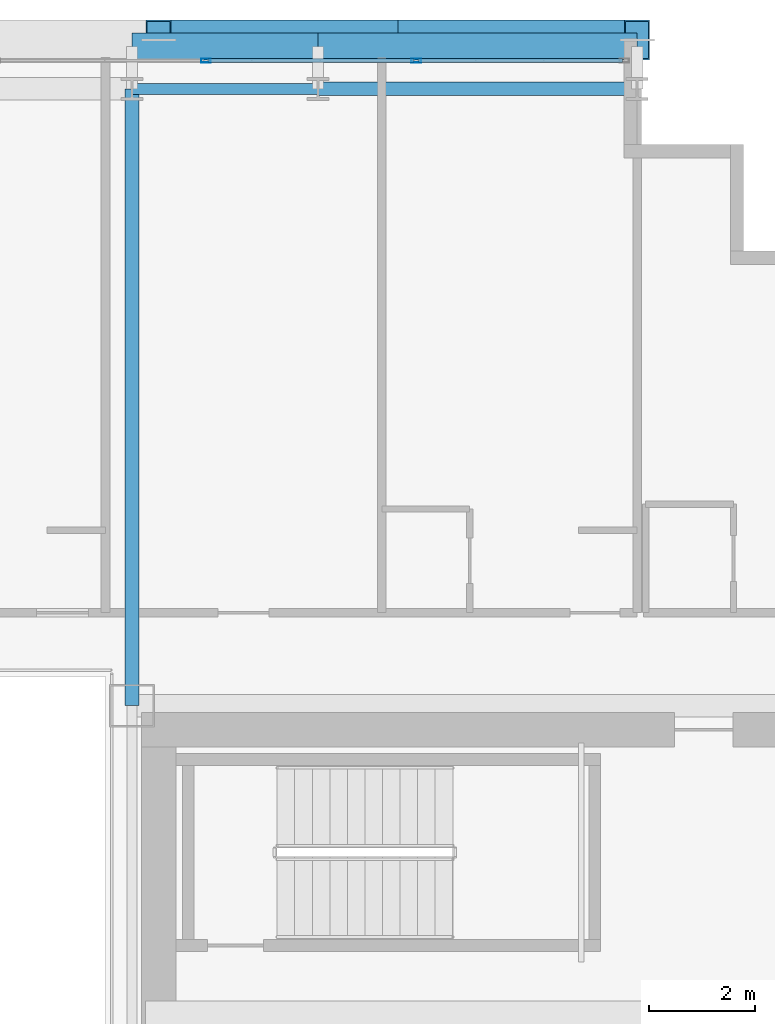
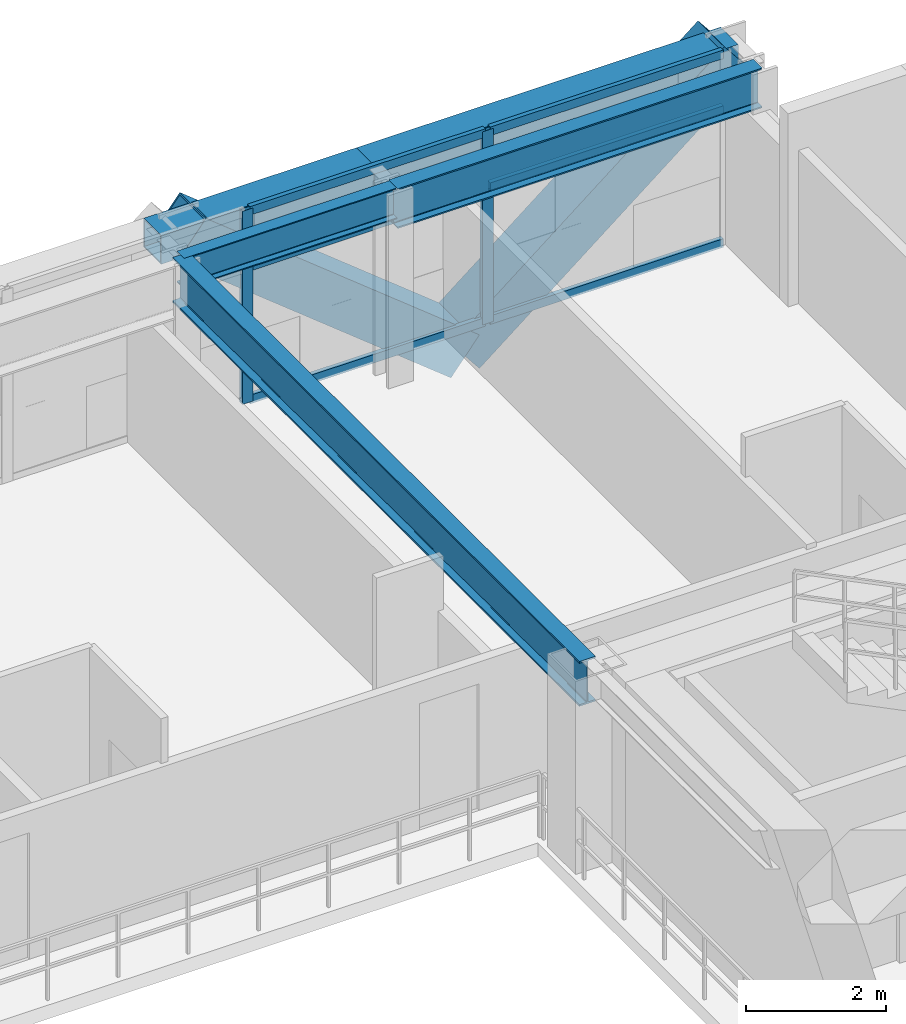
# One storey, part 21 of 35: 10 members, 5 beams, 1 element without a shape of its own.
"""IFC4 building model written with IfcOpenShell, lengths in metres."""

from ifc_helpers import new_model, si_unit, direction, frame, origin, origin_2d, place, context, subcontext, project, spatial, hollow_rectangle, i_section, extrude, source, transform, mapped, material, layer, layer_set, material_profile, profile_set, type_object, element, aggregate, save


model = new_model("IFC4")

# Units and contexts
model_context = context("Model", 3, precision=1e-05, world=origin(), true_north=direction((0.0, 1.0)))
body_context = subcontext(model_context, "Body", "Model", "MODEL_VIEW")
ifc_project = project(units=[si_unit("LENGTHUNIT", "METRE"), si_unit("AREAUNIT", "SQUARE_METRE"), si_unit("VOLUMEUNIT", "CUBIC_METRE"), si_unit("PLANEANGLEUNIT", "RADIAN"), si_unit("MASSUNIT", "GRAM", prefix="KILO")], contexts=[model_context])

# Site, building, storey
site_placement = place(None, origin())
site = spatial("IfcSite", under=ifc_project, at=site_placement, CompositionType="ELEMENT")
building_placement = place(site_placement, origin())
building = spatial("IfcBuilding", under=site, at=building_placement, Name="Ocotamira Hotel", CompositionType="ELEMENT")
storey_placement = place(building_placement, frame((0.0, 0.0, 144.0)))
storey = spatial("IfcBuildingStorey", under=building, at=storey_placement, Name="L36", CompositionType="ELEMENT", Elevation=144.0)

# Beams
ifc_material_1 = material(Name="Steel ASTM A992 Grade 50", Category="steel")
ifc_material_profile_1 = material_profile(ifc_material_1, i_section(OverallWidth=0.256103515625, OverallDepth=0.693115234375, WebThickness=0.014404296875, FlangeThickness=0.023681640625, FilletRadius=0.01611328125, at=origin_2d()), Name="W27X114")
ifc_profile_set_1 = profile_set([ifc_material_profile_1], Name="Steel ASTM A992 Grade 50")
beam_type_1 = type_object("IfcBeamType", Name="BM-PRIM-W27X114", PredefinedType="BEAM", material=ifc_profile_set_1)
shared_shape_1 = source(origin(), body_context, "Body", "SweptSolid", [
    extrude(i_section(OverallWidth=0.256103515625, OverallDepth=0.693115234375, WebThickness=0.014404296875, FlangeThickness=0.023681640625, FilletRadius=0.01611328125, at=origin_2d()), origin(), (0.0, 0.0, 1.0), 6.0),
])
beam_1_placement = place(storey_placement, frame((44.0, 49.050048828125, 3.013427734375), z_axis=(1.0, 0.0, 0.0), x_axis=(0.0, 1.0, 0.0)))
element("IfcBeam", 1, at=beam_1_placement, inside=storey, type_object=beam_type_1, Name="L36 Girder Y49.05 X44-50", PredefinedType="BEAM", context=body_context, shape_type="MappedRepresentation", body=[
    mapped(shared_shape_1, transform((0.0, 0.0, 0.0), scale=1.0)),
])
ifc_material_profile_2 = material_profile(ifc_material_1, i_section(OverallWidth=0.2099609375, OverallDepth=0.537109375, WebThickness=0.010986328125, FlangeThickness=0.017333984375, FilletRadius=0.012939453125, at=origin_2d()), Name="W21X68")
ifc_profile_set_2 = profile_set([ifc_material_profile_2], Name="Steel ASTM A992 Grade 50")
beam_type_2 = type_object("IfcBeamType", Name="BM-SEC-W21X68", PredefinedType="JOIST", material=ifc_profile_set_2)
shared_shape_2 = source(origin(), body_context, "Body", "SweptSolid", [
    extrude(i_section(OverallWidth=0.2099609375, OverallDepth=0.537109375, WebThickness=0.010986328125, FlangeThickness=0.017333984375, FilletRadius=0.012939453125, at=origin_2d()), origin(), (0.0, 0.0, 1.0), 3.5),
])
beam_2_placement = place(storey_placement, frame((40.5, 49.050048828125, 3.091552734375), z_axis=(1.0, 0.0, 0.0), x_axis=(0.0, 1.0, 0.0)))
element("IfcBeam", 2, at=beam_2_placement, inside=storey, type_object=beam_type_2, Name="L36 Girder Y49.05 X40.5-44", PredefinedType="JOIST", context=body_context, shape_type="MappedRepresentation", body=[
    mapped(shared_shape_2, transform((0.0, 0.0, 0.0), scale=1.0)),
])
ifc_material_profile_3 = material_profile(ifc_material_1, i_section(OverallWidth=0.26611328125, OverallDepth=0.779052734375, WebThickness=0.0166015625, FlangeThickness=0.030029296875, FilletRadius=0.01806640625, at=origin_2d()), Name="W30X148")
ifc_profile_set_3 = profile_set([ifc_material_profile_3], Name="Steel ASTM A992 Grade 50")
beam_type_3 = type_object("IfcBeamType", Name="BM-GIRD-W30X148", PredefinedType="BEAM", material=ifc_profile_set_3)
shared_shape_3 = source(origin(), body_context, "Body", "SweptSolid", [
    extrude(i_section(OverallWidth=0.26611328125, OverallDepth=0.779052734375, WebThickness=0.0166015625, FlangeThickness=0.030029296875, FilletRadius=0.01806640625, at=origin_2d()), origin(), (0.0, 0.0, 1.0), 11.60009765625),
])
beam_3_placement = place(storey_placement, frame((40.5, 37.449951171875, 2.970458984375), z_axis=(0.0, 1.0, 0.0), x_axis=(-1.0, 0.0, 0.0)))
element("IfcBeam", 3, at=beam_3_placement, inside=storey, type_object=beam_type_3, Name="L36 Beam X40.5 Y37.45-49.05", PredefinedType="BEAM", context=body_context, shape_type="MappedRepresentation", body=[
    mapped(shared_shape_3, transform((0.0, 0.0, 0.0), scale=1.0)),
])
ifc_material_2 = material(Name="Steel ASTM A500 Grade C", Category="steel")
ifc_material_profile_4 = material_profile(ifc_material_2, hollow_rectangle(XDim=0.5, YDim=0.5, WallThickness=0.02001953125, at=origin_2d()), Name="HSS500X500X20")
ifc_profile_set_4 = profile_set([ifc_material_profile_4], Name="Steel ASTM A500 Grade C")
beam_type_4 = type_object("IfcBeamType", Name="BM-SPAN-HSS500", PredefinedType="USERDEFINED", material=ifc_profile_set_4)
shared_shape_4 = source(origin(), body_context, "Body", "SweptSolid", [
    extrude(hollow_rectangle(XDim=0.5, YDim=0.5, WallThickness=0.02001953125, at=origin_2d()), origin(), (0.0, 0.0, 1.0), 6.0),
])
beam_4_placement = place(storey_placement, frame((44.0, 49.85009765625, 3.110107421875), z_axis=(1.0, 0.0, 0.0), x_axis=(0.0, 1.0, 0.0)))
element("IfcBeam", 4, at=beam_4_placement, inside=storey, type_object=beam_type_4, Name="L36 Edge Spandrel N X44-50", ObjectType="SPANDREL", PredefinedType="USERDEFINED", context=body_context, shape_type="MappedRepresentation", body=[
    mapped(shared_shape_4, transform((0.0, 0.0, 0.0), scale=1.0)),
])
shared_shape_5 = source(origin(), body_context, "Body", "SweptSolid", [
    extrude(hollow_rectangle(XDim=0.5, YDim=0.5, WallThickness=0.02001953125, at=origin_2d()), origin(), (0.0, 0.0, 1.0), 3.5),
])
beam_5_placement = place(storey_placement, frame((40.5, 49.85009765625, 3.110107421875), z_axis=(1.0, 0.0, 0.0), x_axis=(0.0, 1.0, 0.0)))
element("IfcBeam", 5, at=beam_5_placement, inside=storey, type_object=beam_type_4, Name="L36 Edge Spandrel N X40.5-44", ObjectType="SPANDREL", PredefinedType="USERDEFINED", context=body_context, shape_type="MappedRepresentation", body=[
    mapped(shared_shape_5, transform((0.0, 0.0, 0.0), scale=1.0)),
])

# Members
ifc_material_3 = material(Name="Pale-metal coated steel ASTM A913 Grade 65", Category="steel")
ifc_material_profile_5 = material_profile(ifc_material_3, hollow_rectangle(XDim=0.75, YDim=0.75, WallThickness=0.028076171875, at=origin_2d()), Name="BOX750X750X28")
ifc_profile_set_5 = profile_set([ifc_material_profile_5], Name="Pale-metal coated steel ASTM A913 Grade 65")
member_type_1 = type_object("IfcMemberType", Name="MEM-EXO-BOX750", PredefinedType="BRACE", material=ifc_profile_set_5)
shared_shape_6 = source(origin(), body_context, "Body", "SweptSolid", [
    extrude(hollow_rectangle(XDim=0.75, YDim=0.75, WallThickness=0.028076171875, at=origin_2d()), origin(), (0.0, 0.0, 1.0), 5.762939453125),
])
for number, where, z_axis, x_axis, name in (
    (6, (45.5, 49.969970703125, -0.489990234375), (-0.780860543151, 0.0, 0.624705380279), (0.0, -1.0, 0.0), "L36 Exoskeleton Diagrid N3.1"),
    (7, (45.5, 49.969970703125, -0.489990234375), (0.780860543151, 0.0, 0.624705380279), (0.0, 1.0, 0.0), "L36 Exoskeleton Diagrid N3.2"),
):
    element("IfcMember", number, at=place(storey_placement, frame(where, z_axis=z_axis, x_axis=x_axis)), inside=storey, type_object=member_type_1, Name=name, PredefinedType="BRACE", context=body_context, shape_type="MappedRepresentation", body=[
        mapped(shared_shape_6, transform((0.0, 0.0, 0.0), scale=1.0)),
    ])

# Curtain wall, members
ifc_material_4 = material(Name="Anodised pale-metal aluminium and solar glass", Category="aluminium")
ifc_layer = layer(ifc_material_4, 0.179931640625)
ifc_layer_set = layer_set([ifc_layer], Name="Anodised pale-metal aluminium and solar glass")
curtain_wall_type = type_object("IfcCurtainWallType", Name="CW-SYS3-Z2", PredefinedType="NOTDEFINED", material=ifc_layer_set)
curtain_wall_placement = place(storey_placement, origin())
curtain_wall = element("IfcCurtainWall", 8, at=curtain_wall_placement, inside=storey, type_object=curtain_wall_type, Name="L36 Curtain Wall CW-3 CW-L36-N", PredefinedType="NOTDEFINED")
ifc_material_5 = material(Name="Anodised pale-metal aluminium 6063-T6", Category="aluminium")
ifc_material_profile_6 = material_profile(ifc_material_5, hollow_rectangle(XDim=0.074951171875, YDim=0.14990234375, WallThickness=0.006103515625, at=origin_2d()), Name="HSS150X75X6")
ifc_profile_set_6 = profile_set([ifc_material_profile_6], Name="Anodised pale-metal aluminium 6063-T6")
member_type_2 = type_object("IfcMemberType", Name="CWT-150X75", PredefinedType="USERDEFINED", material=ifc_profile_set_6)
shared_shape_7 = source(origin(), body_context, "Body", "SweptSolid", [
    extrude(hollow_rectangle(XDim=0.074951171875, YDim=0.14990234375, WallThickness=0.006103515625, at=origin_2d()), origin(), (0.0, 0.0, 1.0), 3.83544921875),
])
member_1_placement = place(storey_placement, frame((45.884521484375, 49.580078125, 0.03759765625), z_axis=(1.0, 0.0, 0.0), x_axis=(0.0, 1.0, 0.0)))
member_1 = element("IfcMember", 9, at=member_1_placement, type_object=member_type_2, Name="CW-3 transom 9.1", ObjectType="TRANSOM", PredefinedType="USERDEFINED", context=body_context, shape_type="MappedRepresentation", body=[
    mapped(shared_shape_7, transform((0.0, 0.0, 0.0), scale=1.0)),
])
member_2_placement = place(storey_placement, frame((45.884521484375, 49.580078125, 2.35009765625), z_axis=(1.0, 0.0, 0.0), x_axis=(0.0, 1.0, 0.0)))
member_2 = element("IfcMember", 10, at=member_2_placement, type_object=member_type_2, Name="CW-3 transom 9.2", ObjectType="TRANSOM", PredefinedType="USERDEFINED", context=body_context, shape_type="MappedRepresentation", body=[
    mapped(shared_shape_7, transform((0.0, 0.0, 0.0), scale=1.0)),
])
member_3_placement = place(storey_placement, frame((45.884521484375, 49.580078125, 3.322509765625), z_axis=(1.0, 0.0, 0.0), x_axis=(0.0, 1.0, 0.0)))
member_3 = element("IfcMember", 11, at=member_3_placement, type_object=member_type_2, Name="CW-3 transom 9.3", ObjectType="TRANSOM", PredefinedType="USERDEFINED", context=body_context, shape_type="MappedRepresentation", body=[
    mapped(shared_shape_7, transform((0.0, 0.0, 0.0), scale=1.0)),
])
shared_shape_8 = source(origin(), body_context, "Body", "SweptSolid", [
    extrude(hollow_rectangle(XDim=0.074951171875, YDim=0.14990234375, WallThickness=0.006103515625, at=origin_2d()), origin(), (0.0, 0.0, 1.0), 3.87548828125),
])
member_4_placement = place(storey_placement, frame((41.928955078125, 49.580078125, 0.03759765625), z_axis=(1.0, 0.0, 0.0), x_axis=(0.0, 1.0, 0.0)))
member_4 = element("IfcMember", 12, at=member_4_placement, type_object=member_type_2, Name="CW-3 transom 8.1", ObjectType="TRANSOM", PredefinedType="USERDEFINED", context=body_context, shape_type="MappedRepresentation", body=[
    mapped(shared_shape_8, transform((0.0, 0.0, 0.0), scale=1.0)),
])
member_5_placement = place(storey_placement, frame((41.928955078125, 49.580078125, 2.35009765625), z_axis=(1.0, 0.0, 0.0), x_axis=(0.0, 1.0, 0.0)))
member_5 = element("IfcMember", 13, at=member_5_placement, type_object=member_type_2, Name="CW-3 transom 8.2", ObjectType="TRANSOM", PredefinedType="USERDEFINED", context=body_context, shape_type="MappedRepresentation", body=[
    mapped(shared_shape_8, transform((0.0, 0.0, 0.0), scale=1.0)),
])
member_6_placement = place(storey_placement, frame((41.928955078125, 49.580078125, 3.322509765625), z_axis=(1.0, 0.0, 0.0), x_axis=(0.0, 1.0, 0.0)))
member_6 = element("IfcMember", 14, at=member_6_placement, type_object=member_type_2, Name="CW-3 transom 8.3", ObjectType="TRANSOM", PredefinedType="USERDEFINED", context=body_context, shape_type="MappedRepresentation", body=[
    mapped(shared_shape_8, transform((0.0, 0.0, 0.0), scale=1.0)),
])
ifc_material_profile_7 = material_profile(ifc_material_5, hollow_rectangle(XDim=0.080078125, YDim=0.179931640625, WallThickness=0.006103515625, at=origin_2d()), Name="HSS180X80X6")
ifc_profile_set_7 = profile_set([ifc_material_profile_7], Name="Anodised pale-metal aluminium 6063-T6")
member_type_3 = type_object("IfcMemberType", Name="CWM-180X75", PredefinedType="MULLION", material=ifc_profile_set_7)
shared_shape_9 = source(origin(), body_context, "Body", "SweptSolid", [
    extrude(hollow_rectangle(XDim=0.080078125, YDim=0.179931640625, WallThickness=0.006103515625, at=origin_2d()), origin(), (0.0, 0.0, 1.0), 3.360107421875),
])
member_7_placement = place(storey_placement, frame((41.888916015625, 49.580078125, 0.0), z_axis=(0.0, 0.0, 1.0), x_axis=(0.0, 1.0, 0.0)))
member_7 = element("IfcMember", 15, at=member_7_placement, type_object=member_type_3, Name="CW-3 mullion 8", PredefinedType="MULLION", context=body_context, shape_type="MappedRepresentation", body=[
    mapped(shared_shape_9, transform((0.0, 0.0, 0.0), scale=1.0)),
])
member_8_placement = place(storey_placement, frame((45.844482421875, 49.580078125, 0.0), z_axis=(0.0, 0.0, 1.0), x_axis=(0.0, 1.0, 0.0)))
member_8 = element("IfcMember", 16, at=member_8_placement, type_object=member_type_3, Name="CW-3 mullion 9", PredefinedType="MULLION", context=body_context, shape_type="MappedRepresentation", body=[
    mapped(shared_shape_9, transform((0.0, 0.0, 0.0), scale=1.0)),
])
aggregate(curtain_wall, [member_7, member_8, member_4, member_5, member_6, member_1, member_2, member_3])

save(model, "model.ifc")
